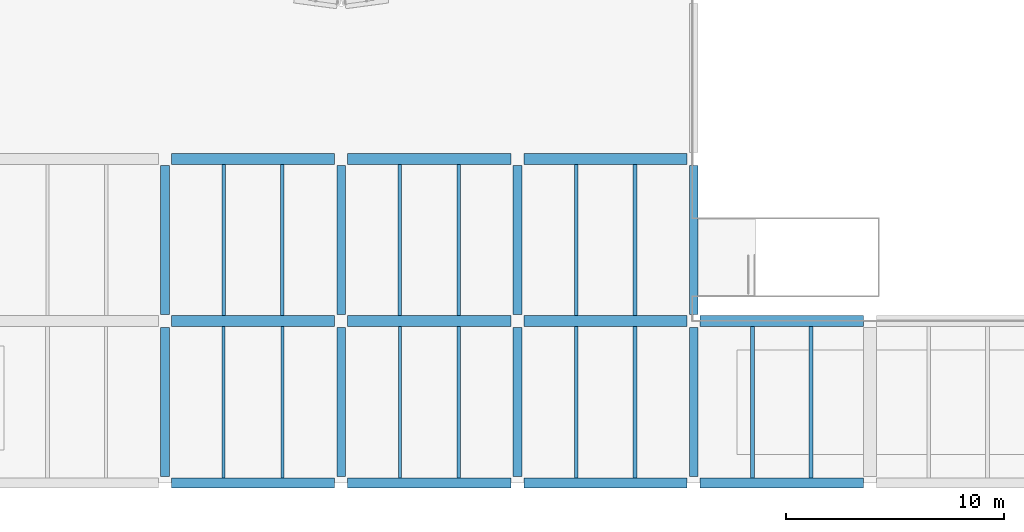
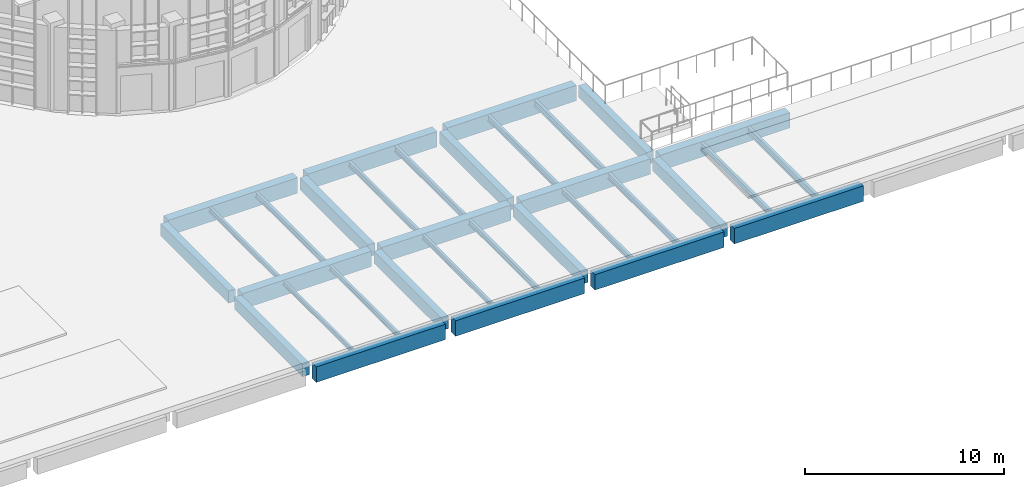
# One storey, part 25 of 372: 33 beams.
"""IFC4 building model written with IfcOpenShell, lengths in metres."""

from ifc_helpers import new_model, si_unit, direction, frame, origin, origin_2d, place, context, subcontext, project, spatial, rectangle, i_section, extrude, material, material_profile, profile_set, type_object, element, save


model = new_model("IFC4")

# Units and contexts
model_context = context("Model", 3, precision=1e-05, world=origin(), true_north=direction((0.0, 1.0)))
body_context = subcontext(model_context, "Body", "Model", "MODEL_VIEW")
ifc_project = project(units=[si_unit("LENGTHUNIT", "METRE"), si_unit("AREAUNIT", "SQUARE_METRE"), si_unit("VOLUMEUNIT", "CUBIC_METRE"), si_unit("PLANEANGLEUNIT", "RADIAN"), si_unit("MASSUNIT", "GRAM", prefix="KILO")], contexts=[model_context])

# Site, building, storey
site_placement = place(None, origin())
site = spatial("IfcSite", under=ifc_project, at=site_placement, CompositionType="ELEMENT")
building_placement = place(site_placement, origin())
building = spatial("IfcBuilding", under=site, at=building_placement, Name="Kaelora Sail Theatre", CompositionType="ELEMENT")
storey_placement = place(building_placement, origin())
storey = spatial("IfcBuildingStorey", under=building, at=storey_placement, Name="L00", CompositionType="ELEMENT", Elevation=0.0)

# Beams
ifc_material_1 = material(Name="Concrete C40/50", Category="concrete")
ifc_material_profile_1 = material_profile(ifc_material_1, rectangle(XDim=0.39990234375, YDim=0.75, at=origin_2d()), Name="RC-BM 400x750")
ifc_profile_set_1 = profile_set([ifc_material_profile_1], Name="Concrete C40/50")
beam_type_1 = type_object("IfcBeamType", Name="STR-BM-BM-RC4075", PredefinedType="BEAM", material=ifc_profile_set_1)
beam_1_placement = place(storey_placement, frame((33.89990234375, 1.800048828125, -0.695068359375), z_axis=(0.0, 1.0, 0.0), x_axis=(-1.0, 0.0, 0.0)))
element("IfcBeam", 1, at=beam_1_placement, inside=storey, type_object=beam_type_1, Name="Primary beam 5 A-B (L00)", PredefinedType="BEAM", context=body_context, shape_type="SweptSolid", body=[
    extrude(rectangle(XDim=0.39990234375, YDim=0.75, at=origin_2d()), origin(), (0.0, 0.0, 1.0), 6.83984375),
])
beam_2_placement = place(storey_placement, frame((33.89990234375, 9.239990234375, -0.695068359375), z_axis=(0.0, 1.0, 0.0), x_axis=(-1.0, 0.0, 0.0)))
element("IfcBeam", 2, at=beam_2_placement, inside=storey, type_object=beam_type_1, Name="Primary beam 5 B-C (L00)", PredefinedType="BEAM", context=body_context, shape_type="SweptSolid", body=[
    extrude(rectangle(XDim=0.39990234375, YDim=0.75, at=origin_2d()), origin(), (0.0, 0.0, 1.0), 6.840087890625),
])
beam_3_placement = place(storey_placement, frame((42.0, 1.800048828125, -0.695068359375), z_axis=(0.0, 1.0, 0.0), x_axis=(-1.0, 0.0, 0.0)))
element("IfcBeam", 3, at=beam_3_placement, inside=storey, type_object=beam_type_1, Name="Primary beam 6 A-B (L00)", PredefinedType="BEAM", context=body_context, shape_type="SweptSolid", body=[
    extrude(rectangle(XDim=0.39990234375, YDim=0.75, at=origin_2d()), origin(), (0.0, 0.0, 1.0), 6.83984375),
])
beam_4_placement = place(storey_placement, frame((42.0, 9.239990234375, -0.695068359375), z_axis=(0.0, 1.0, 0.0), x_axis=(-1.0, 0.0, 0.0)))
element("IfcBeam", 4, at=beam_4_placement, inside=storey, type_object=beam_type_1, Name="Primary beam 6 B-C (L00)", PredefinedType="BEAM", context=body_context, shape_type="SweptSolid", body=[
    extrude(rectangle(XDim=0.39990234375, YDim=0.75, at=origin_2d()), origin(), (0.0, 0.0, 1.0), 6.840087890625),
])
beam_5_placement = place(storey_placement, frame((50.10009765625, 1.800048828125, -0.695068359375), z_axis=(0.0, 1.0, 0.0), x_axis=(-1.0, 0.0, 0.0)))
element("IfcBeam", 5, at=beam_5_placement, inside=storey, type_object=beam_type_1, Name="Primary beam 7 A-B (L00)", PredefinedType="BEAM", context=body_context, shape_type="SweptSolid", body=[
    extrude(rectangle(XDim=0.39990234375, YDim=0.75, at=origin_2d()), origin(), (0.0, 0.0, 1.0), 6.83984375),
])
beam_6_placement = place(storey_placement, frame((50.10009765625, 9.239990234375, -0.695068359375), z_axis=(0.0, 1.0, 0.0), x_axis=(-1.0, 0.0, 0.0)))
element("IfcBeam", 6, at=beam_6_placement, inside=storey, type_object=beam_type_1, Name="Primary beam 7 B-C (L00)", PredefinedType="BEAM", context=body_context, shape_type="SweptSolid", body=[
    extrude(rectangle(XDim=0.39990234375, YDim=0.75, at=origin_2d()), origin(), (0.0, 0.0, 1.0), 6.840087890625),
])
beam_7_placement = place(storey_placement, frame((58.199951171875, 1.800048828125, -0.695068359375), z_axis=(0.0, 1.0, 0.0), x_axis=(-1.0, 0.0, 0.0)))
element("IfcBeam", 7, at=beam_7_placement, inside=storey, type_object=beam_type_1, Name="Primary beam 8 A-B (L00)", PredefinedType="BEAM", context=body_context, shape_type="SweptSolid", body=[
    extrude(rectangle(XDim=0.39990234375, YDim=0.75, at=origin_2d()), origin(), (0.0, 0.0, 1.0), 6.83984375),
])
beam_8_placement = place(storey_placement, frame((58.199951171875, 9.239990234375, -0.695068359375), z_axis=(0.0, 1.0, 0.0), x_axis=(-1.0, 0.0, 0.0)))
element("IfcBeam", 8, at=beam_8_placement, inside=storey, type_object=beam_type_1, Name="Primary beam 8 B-C (L00)", PredefinedType="BEAM", context=body_context, shape_type="SweptSolid", body=[
    extrude(rectangle(XDim=0.39990234375, YDim=0.75, at=origin_2d()), origin(), (0.0, 0.0, 1.0), 6.840087890625),
])
ifc_material_2 = material(Name="Concrete C45/55", Category="concrete")
ifc_material_profile_2 = material_profile(ifc_material_2, rectangle(XDim=0.5, YDim=0.949951171875, at=origin_2d()), Name="RC-GRD 500x950")
ifc_profile_set_2 = profile_set([ifc_material_profile_2], Name="Concrete C45/55")
beam_type_2 = type_object("IfcBeamType", Name="STR-BM-GR-RC5095", PredefinedType="T_BEAM", material=ifc_profile_set_2)
for number, where, z_axis, x_axis, name in (
    (9, (34.199951171875, 8.93994140625, -0.794921875), (1.0, 0.0, 0.0), (0.0, 1.0, 0.0), "Primary beam B 5-6 (L00)"),
    (10, (34.199951171875, 16.3798828125, -0.794921875), (1.0, 0.0, 0.0), (0.0, 1.0, 0.0), "Primary beam C 5-6 (L00)"),
    (11, (42.300048828125, 8.93994140625, -0.794921875), (1.0, 0.0, 0.0), (0.0, 1.0, 0.0), "Primary beam B 6-7 (L00)"),
    (12, (42.300048828125, 16.3798828125, -0.794921875), (1.0, 0.0, 0.0), (0.0, 1.0, 0.0), "Primary beam C 6-7 (L00)"),
    (13, (50.39990234375, 8.93994140625, -0.794921875), (1.0, 0.0, 0.0), (0.0, 1.0, 0.0), "Primary beam B 7-8 (L00)"),
    (14, (50.39990234375, 16.3798828125, -0.794921875), (1.0, 0.0, 0.0), (0.0, 1.0, 0.0), "Primary beam C 7-8 (L00)"),
    (15, (58.5, 8.93994140625, -0.794921875), (1.0, 0.0, 0.0), (0.0, 1.0, 0.0), "Primary beam B 8-9 (L00)"),
):
    element("IfcBeam", number, at=place(storey_placement, frame(where, z_axis=z_axis, x_axis=x_axis)), inside=storey, type_object=beam_type_2, Name=name, PredefinedType="T_BEAM", context=body_context, shape_type="SweptSolid", body=[
        extrude(rectangle(XDim=0.5, YDim=0.949951171875, at=origin_2d()), origin(), (0.0, 0.0, 1.0), 7.5),
    ])
ifc_material_3 = material(Name="Steel S355", Category="steel")
ifc_material_profile_3 = material_profile(ifc_material_3, i_section(OverallWidth=0.135009765625, OverallDepth=0.27001953125, WebThickness=0.006591796875, FlangeThickness=0.01025390625, FilletRadius=0.014892578125, at=origin_2d()), Name="IPE 270")
ifc_profile_set_3 = profile_set([ifc_material_profile_3], Name="Steel S355")
beam_type_3 = type_object("IfcBeamType", Name="STR-BM-JS-IPE270", PredefinedType="JOIST", material=ifc_profile_set_3)
beam_9_placement = place(storey_placement, frame((36.60009765625, 1.72509765625, -0.455078125), z_axis=(0.0, 1.0, 0.0), x_axis=(-1.0, 0.0, 0.0)))
element("IfcBeam", 16, at=beam_9_placement, inside=storey, type_object=beam_type_3, Name="Secondary floor joist 5/A-1 (L00)", PredefinedType="JOIST", context=body_context, shape_type="SweptSolid", body=[
    extrude(i_section(OverallWidth=0.135009765625, OverallDepth=0.27001953125, WebThickness=0.006591796875, FlangeThickness=0.01025390625, FilletRadius=0.014892578125, at=origin_2d()), origin(), (0.0, 0.0, 1.0), 6.96484375),
])
ifc_material_4 = material(Name="Steel S355", Category="steel")
ifc_material_profile_4 = material_profile(ifc_material_4, i_section(OverallWidth=0.14990234375, OverallDepth=0.300048828125, WebThickness=0.007080078125, FlangeThickness=0.0107421875, FilletRadius=0.014892578125, at=origin_2d()), Name="IPE 300")
ifc_profile_set_4 = profile_set([ifc_material_profile_4], Name="Steel S355")
beam_type_4 = type_object("IfcBeamType", Name="STR-BM-JS-IPE300", PredefinedType="JOIST", material=ifc_profile_set_4)
beam_10_placement = place(storey_placement, frame((39.300048828125, 1.72509765625, -0.469970703125), z_axis=(0.0, 1.0, 0.0), x_axis=(-1.0, 0.0, 0.0)))
element("IfcBeam", 17, at=beam_10_placement, inside=storey, type_object=beam_type_4, Name="Secondary floor joist 5/A-2 (L00)", PredefinedType="JOIST", context=body_context, shape_type="SweptSolid", body=[
    extrude(i_section(OverallWidth=0.14990234375, OverallDepth=0.300048828125, WebThickness=0.007080078125, FlangeThickness=0.0107421875, FilletRadius=0.014892578125, at=origin_2d()), origin(), (0.0, 0.0, 1.0), 6.96484375),
])
beam_11_placement = place(storey_placement, frame((36.60009765625, 9.18994140625, -0.469970703125), z_axis=(0.0, 1.0, 0.0), x_axis=(-1.0, 0.0, 0.0)))
element("IfcBeam", 18, at=beam_11_placement, inside=storey, type_object=beam_type_4, Name="Secondary floor joist 5/B-1 (L00)", PredefinedType="JOIST", context=body_context, shape_type="SweptSolid", body=[
    extrude(i_section(OverallWidth=0.14990234375, OverallDepth=0.300048828125, WebThickness=0.007080078125, FlangeThickness=0.0107421875, FilletRadius=0.014892578125, at=origin_2d()), origin(), (0.0, 0.0, 1.0), 6.93994140625),
])
beam_12_placement = place(storey_placement, frame((44.699951171875, 1.72509765625, -0.469970703125), z_axis=(0.0, 1.0, 0.0), x_axis=(-1.0, 0.0, 0.0)))
element("IfcBeam", 19, at=beam_12_placement, inside=storey, type_object=beam_type_4, Name="Secondary floor joist 6/A-1 (L00)", PredefinedType="JOIST", context=body_context, shape_type="SweptSolid", body=[
    extrude(i_section(OverallWidth=0.14990234375, OverallDepth=0.300048828125, WebThickness=0.007080078125, FlangeThickness=0.0107421875, FilletRadius=0.014892578125, at=origin_2d()), origin(), (0.0, 0.0, 1.0), 6.96484375),
])
ifc_material_5 = material(Name="Steel S355", Category="steel")
ifc_material_profile_5 = material_profile(ifc_material_5, i_section(OverallWidth=0.159912109375, OverallDepth=0.330078125, WebThickness=0.007568359375, FlangeThickness=0.011474609375, FilletRadius=0.01806640625, at=origin_2d()), Name="IPE 330")
ifc_profile_set_5 = profile_set([ifc_material_profile_5], Name="Steel S355")
beam_type_5 = type_object("IfcBeamType", Name="STR-BM-JS-IPE330", PredefinedType="JOIST", material=ifc_profile_set_5)
beam_13_placement = place(storey_placement, frame((39.300048828125, 9.18994140625, -0.485107421875), z_axis=(0.0, 1.0, 0.0), x_axis=(-1.0, 0.0, 0.0)))
element("IfcBeam", 20, at=beam_13_placement, inside=storey, type_object=beam_type_5, Name="Secondary floor joist 5/B-2 (L00)", PredefinedType="JOIST", context=body_context, shape_type="SweptSolid", body=[
    extrude(i_section(OverallWidth=0.159912109375, OverallDepth=0.330078125, WebThickness=0.007568359375, FlangeThickness=0.011474609375, FilletRadius=0.01806640625, at=origin_2d()), origin(), (0.0, 0.0, 1.0), 6.93994140625),
])
beam_14_placement = place(storey_placement, frame((47.39990234375, 1.72509765625, -0.485107421875), z_axis=(0.0, 1.0, 0.0), x_axis=(-1.0, 0.0, 0.0)))
element("IfcBeam", 21, at=beam_14_placement, inside=storey, type_object=beam_type_5, Name="Secondary floor joist 6/A-2 (L00)", PredefinedType="JOIST", context=body_context, shape_type="SweptSolid", body=[
    extrude(i_section(OverallWidth=0.159912109375, OverallDepth=0.330078125, WebThickness=0.007568359375, FlangeThickness=0.011474609375, FilletRadius=0.01806640625, at=origin_2d()), origin(), (0.0, 0.0, 1.0), 6.96484375),
])
beam_15_placement = place(storey_placement, frame((44.699951171875, 9.18994140625, -0.485107421875), z_axis=(0.0, 1.0, 0.0), x_axis=(-1.0, 0.0, 0.0)))
element("IfcBeam", 22, at=beam_15_placement, inside=storey, type_object=beam_type_5, Name="Secondary floor joist 6/B-1 (L00)", PredefinedType="JOIST", context=body_context, shape_type="SweptSolid", body=[
    extrude(i_section(OverallWidth=0.159912109375, OverallDepth=0.330078125, WebThickness=0.007568359375, FlangeThickness=0.011474609375, FilletRadius=0.01806640625, at=origin_2d()), origin(), (0.0, 0.0, 1.0), 6.93994140625),
])
beam_16_placement = place(storey_placement, frame((52.800048828125, 1.72509765625, -0.485107421875), z_axis=(0.0, 1.0, 0.0), x_axis=(-1.0, 0.0, 0.0)))
element("IfcBeam", 23, at=beam_16_placement, inside=storey, type_object=beam_type_5, Name="Secondary floor joist 7/A-1 (L00)", PredefinedType="JOIST", context=body_context, shape_type="SweptSolid", body=[
    extrude(i_section(OverallWidth=0.159912109375, OverallDepth=0.330078125, WebThickness=0.007568359375, FlangeThickness=0.011474609375, FilletRadius=0.01806640625, at=origin_2d()), origin(), (0.0, 0.0, 1.0), 6.96484375),
])
ifc_material_6 = material(Name="Steel S355", Category="steel")
ifc_material_profile_6 = material_profile(ifc_material_6, i_section(OverallWidth=0.169921875, OverallDepth=0.360107421875, WebThickness=0.008056640625, FlangeThickness=0.0126953125, FilletRadius=0.01806640625, at=origin_2d()), Name="IPE 360")
ifc_profile_set_6 = profile_set([ifc_material_profile_6], Name="Steel S355")
beam_type_6 = type_object("IfcBeamType", Name="STR-BM-JS-IPE360", PredefinedType="JOIST", material=ifc_profile_set_6)
beam_17_placement = place(storey_placement, frame((47.39990234375, 9.18994140625, -0.5), z_axis=(0.0, 1.0, 0.0), x_axis=(-1.0, 0.0, 0.0)))
element("IfcBeam", 24, at=beam_17_placement, inside=storey, type_object=beam_type_6, Name="Secondary floor joist 6/B-2 (L00)", PredefinedType="JOIST", context=body_context, shape_type="SweptSolid", body=[
    extrude(i_section(OverallWidth=0.169921875, OverallDepth=0.360107421875, WebThickness=0.008056640625, FlangeThickness=0.0126953125, FilletRadius=0.01806640625, at=origin_2d()), origin(), (0.0, 0.0, 1.0), 6.93994140625),
])
beam_18_placement = place(storey_placement, frame((55.5, 1.72509765625, -0.5), z_axis=(0.0, 1.0, 0.0), x_axis=(-1.0, 0.0, 0.0)))
element("IfcBeam", 25, at=beam_18_placement, inside=storey, type_object=beam_type_6, Name="Secondary floor joist 7/A-2 (L00)", PredefinedType="JOIST", context=body_context, shape_type="SweptSolid", body=[
    extrude(i_section(OverallWidth=0.169921875, OverallDepth=0.360107421875, WebThickness=0.008056640625, FlangeThickness=0.0126953125, FilletRadius=0.01806640625, at=origin_2d()), origin(), (0.0, 0.0, 1.0), 6.96484375),
])
beam_19_placement = place(storey_placement, frame((52.800048828125, 9.18994140625, -0.5), z_axis=(0.0, 1.0, 0.0), x_axis=(-1.0, 0.0, 0.0)))
element("IfcBeam", 26, at=beam_19_placement, inside=storey, type_object=beam_type_6, Name="Secondary floor joist 7/B-1 (L00)", PredefinedType="JOIST", context=body_context, shape_type="SweptSolid", body=[
    extrude(i_section(OverallWidth=0.169921875, OverallDepth=0.360107421875, WebThickness=0.008056640625, FlangeThickness=0.0126953125, FilletRadius=0.01806640625, at=origin_2d()), origin(), (0.0, 0.0, 1.0), 6.93994140625),
])
beam_20_placement = place(storey_placement, frame((60.89990234375, 1.72509765625, -0.5), z_axis=(0.0, 1.0, 0.0), x_axis=(-1.0, 0.0, 0.0)))
element("IfcBeam", 27, at=beam_20_placement, inside=storey, type_object=beam_type_6, Name="Secondary floor joist 8/A-1 (L00)", PredefinedType="JOIST", context=body_context, shape_type="SweptSolid", body=[
    extrude(i_section(OverallWidth=0.169921875, OverallDepth=0.360107421875, WebThickness=0.008056640625, FlangeThickness=0.0126953125, FilletRadius=0.01806640625, at=origin_2d()), origin(), (0.0, 0.0, 1.0), 6.96484375),
])
ifc_material_7 = material(Name="Steel S355", Category="steel")
ifc_material_profile_7 = material_profile(ifc_material_7, i_section(OverallWidth=0.179931640625, OverallDepth=0.39990234375, WebThickness=0.008544921875, FlangeThickness=0.013427734375, FilletRadius=0.02099609375, at=origin_2d()), Name="IPE 400")
ifc_profile_set_7 = profile_set([ifc_material_profile_7], Name="Steel S355")
beam_type_7 = type_object("IfcBeamType", Name="STR-BM-JS-IPE400", PredefinedType="JOIST", material=ifc_profile_set_7)
beam_21_placement = place(storey_placement, frame((55.5, 9.18994140625, -0.52001953125), z_axis=(0.0, 1.0, 0.0), x_axis=(-1.0, 0.0, 0.0)))
element("IfcBeam", 28, at=beam_21_placement, inside=storey, type_object=beam_type_7, Name="Secondary floor joist 7/B-2 (L00)", PredefinedType="JOIST", context=body_context, shape_type="SweptSolid", body=[
    extrude(i_section(OverallWidth=0.179931640625, OverallDepth=0.39990234375, WebThickness=0.008544921875, FlangeThickness=0.013427734375, FilletRadius=0.02099609375, at=origin_2d()), origin(), (0.0, 0.0, 1.0), 6.93994140625),
])
beam_22_placement = place(storey_placement, frame((63.60009765625, 1.72509765625, -0.52001953125), z_axis=(0.0, 1.0, 0.0), x_axis=(-1.0, 0.0, 0.0)))
element("IfcBeam", 29, at=beam_22_placement, inside=storey, type_object=beam_type_7, Name="Secondary floor joist 8/A-2 (L00)", PredefinedType="JOIST", context=body_context, shape_type="SweptSolid", body=[
    extrude(i_section(OverallWidth=0.179931640625, OverallDepth=0.39990234375, WebThickness=0.008544921875, FlangeThickness=0.013427734375, FilletRadius=0.02099609375, at=origin_2d()), origin(), (0.0, 0.0, 1.0), 6.96484375),
])
ifc_material_8 = material(Name="Concrete C45/55", Category="concrete")
ifc_material_profile_8 = material_profile(ifc_material_8, rectangle(XDim=0.449951171875, YDim=0.949951171875, at=origin_2d()), Name="RC-SPN 450x950")
ifc_profile_set_8 = profile_set([ifc_material_profile_8], Name="Concrete C45/55")
beam_type_8 = type_object("IfcBeamType", Name="STR-BM-SP-RC4595", PredefinedType="SPANDREL", material=ifc_profile_set_8)
for number, where, z_axis, x_axis, name in (
    (30, (34.199951171875, 1.5, -0.794921875), (1.0, 0.0, 0.0), (0.0, 1.0, 0.0), "Primary beam A 5-6 (L00)"),
    (31, (42.300048828125, 1.5, -0.794921875), (1.0, 0.0, 0.0), (0.0, 1.0, 0.0), "Primary beam A 6-7 (L00)"),
    (32, (50.39990234375, 1.5, -0.794921875), (1.0, 0.0, 0.0), (0.0, 1.0, 0.0), "Primary beam A 7-8 (L00)"),
    (33, (58.5, 1.5, -0.794921875), (1.0, 0.0, 0.0), (0.0, 1.0, 0.0), "Primary beam A 8-9 (L00)"),
):
    element("IfcBeam", number, at=place(storey_placement, frame(where, z_axis=z_axis, x_axis=x_axis)), inside=storey, type_object=beam_type_8, Name=name, PredefinedType="SPANDREL", context=body_context, shape_type="SweptSolid", body=[
        extrude(rectangle(XDim=0.449951171875, YDim=0.949951171875, at=origin_2d()), origin(), (0.0, 0.0, 1.0), 7.5),
    ])

save(model, "model.ifc")
